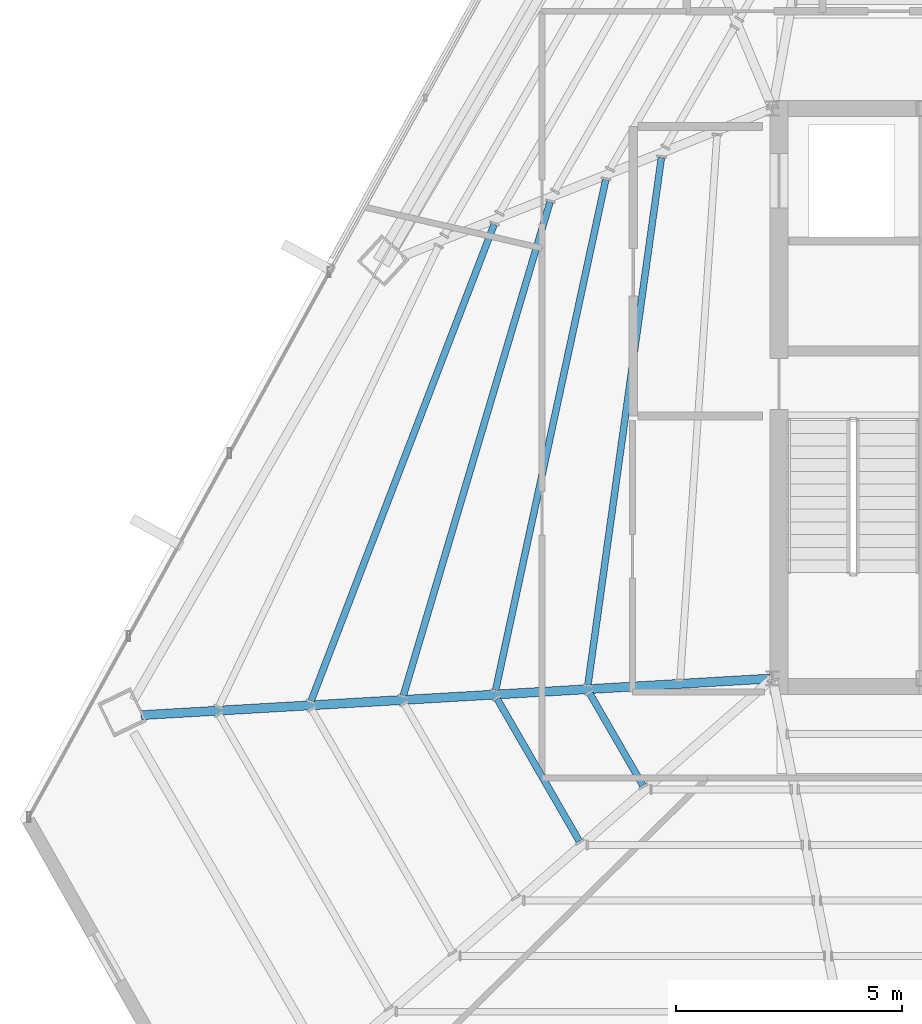
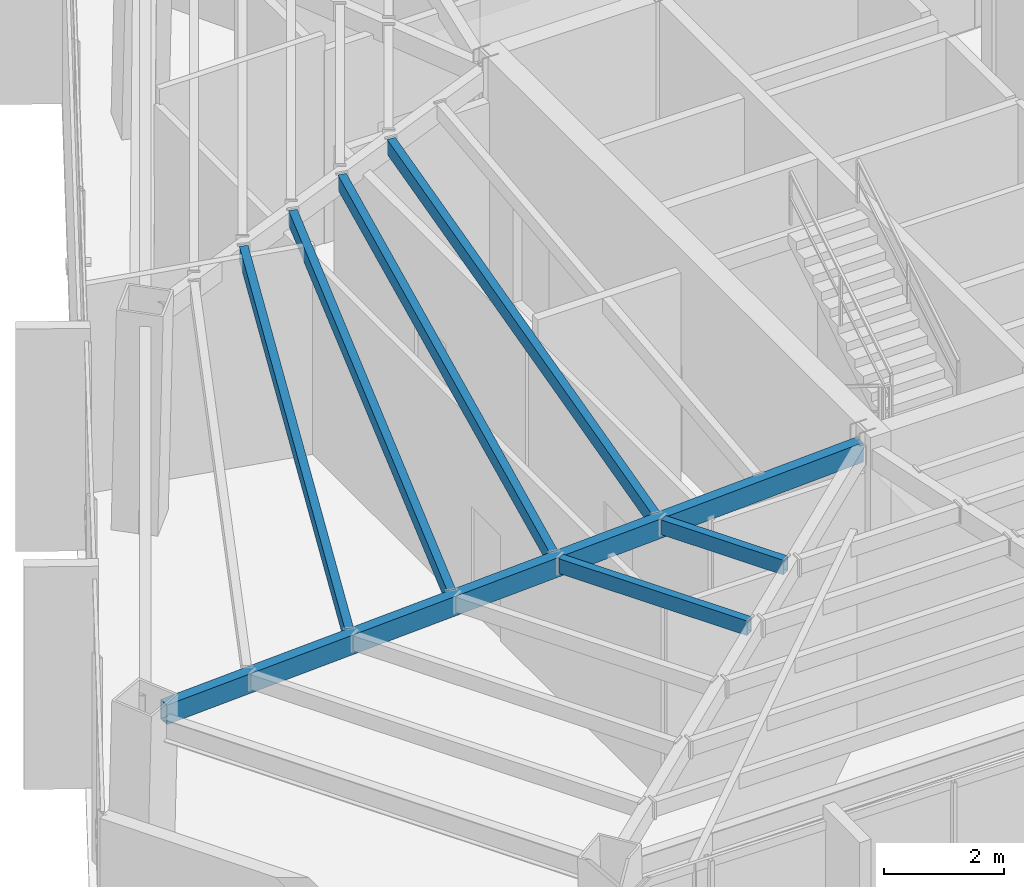
# One storey, part 6 of 37: 7 beams.
"""IFC4 building model written with IfcOpenShell, lengths in metres."""

from ifc_helpers import new_model, si_unit, direction, frame, origin, origin_2d, place, context, subcontext, project, spatial, hollow_rectangle, extrude, source, transform, mapped, material, material_profile, profile_set, type_object, type_shapes, element, save


model = new_model("IFC4")

# Units and contexts
model_context = context("Model", 3, precision=1e-05, world=origin(), true_north=direction((0.0, 1.0)))
body_context = subcontext(model_context, "Body", "Model", "MODEL_VIEW")
ifc_project = project(units=[si_unit("LENGTHUNIT", "METRE"), si_unit("AREAUNIT", "SQUARE_METRE"), si_unit("VOLUMEUNIT", "CUBIC_METRE"), si_unit("PLANEANGLEUNIT", "RADIAN"), si_unit("MASSUNIT", "GRAM", prefix="KILO")], contexts=[model_context])

# Site, building, storey
site_placement = place(None, origin())
site = spatial("IfcSite", under=ifc_project, at=site_placement, CompositionType="ELEMENT")
building_placement = place(site_placement, origin())
building = spatial("IfcBuilding", under=site, at=building_placement, Name="Caelisora Broadcast Tower", CompositionType="ELEMENT")
storey_placement = place(building_placement, frame((0.0, 0.0, 225.35009765625)))
storey = spatial("IfcBuildingStorey", under=building, at=storey_placement, Name="L59", CompositionType="ELEMENT", Elevation=225.35009765625)

# Beams
ifc_material = material(Name="Steel Grade 350 (AS/NZS 1163 C350L0)", Category="steel")
ifc_material_profile_1 = material_profile(ifc_material, hollow_rectangle(XDim=0.199951171875, YDim=0.39990234375, WallThickness=0.012451171875, at=origin_2d()), Name="Steel Grade 350 (AS/NZS 1163 C350L0)")
ifc_profile_set_1 = profile_set([ifc_material_profile_1], Name="Steel Grade 350 (AS/NZS 1163 C350L0)")
beam_type_1 = type_object("IfcBeamType", Name="PG07", PredefinedType="BEAM", material=ifc_profile_set_1)
shared_shape_1 = source(origin(), body_context, "Body", "SweptSolid", [
    extrude(hollow_rectangle(XDim=0.199951171875, YDim=0.39990234375, WallThickness=0.012451171875, at=origin_2d()), origin(), (0.0, 0.0, 1.0), 13.9248046875),
])
type_shapes(beam_type_1, [shared_shape_1])
beam_1_placement = place(storey_placement, frame((30.440185546875, 17.396484375, 4.0498046875), z_axis=(-0.998312610216, -0.0580683415, 0.0), x_axis=(0.0580683415, -0.998312610216, 0.0)))
element("IfcBeam", 1, at=beam_1_placement, inside=storey, type_object=beam_type_1, Name="L59 beam PG07", PredefinedType="BEAM", context=body_context, shape_type="MappedRepresentation", body=[
    mapped(shared_shape_1, transform((0.0, 0.0, 0.0), scale=1.0)),
])
ifc_material_profile_2 = material_profile(ifc_material, hollow_rectangle(XDim=0.14990234375, YDim=0.300048828125, WallThickness=0.010009765625, at=origin_2d()), Name="Steel Grade 350 (AS/NZS 1163 C350L0)")
ifc_profile_set_2 = profile_set([ifc_material_profile_2], Name="Steel Grade 350 (AS/NZS 1163 C350L0)")
beam_type_2 = type_object("IfcBeamType", Name="SB05", PredefinedType="JOIST", material=ifc_profile_set_2)
shared_shape_2 = source(origin(), body_context, "Body", "SweptSolid", [
    extrude(hollow_rectangle(XDim=0.14990234375, YDim=0.300048828125, WallThickness=0.010009765625, at=origin_2d()), origin(), (0.0, 0.0, 1.0), 11.7666015625),
])
beam_2_placement = place(storey_placement, frame((28.04150390625, 28.913818359375, 4.099853515625), z_axis=(-0.13801901254, -0.990429579616, 0.0), x_axis=(0.990429579616, -0.13801901254, 0.0)))
element("IfcBeam", 2, at=beam_2_placement, inside=storey, type_object=beam_type_2, Name="L59 beam SB05", PredefinedType="JOIST", context=body_context, shape_type="MappedRepresentation", body=[
    mapped(shared_shape_2, transform((0.0, 0.0, 0.0), scale=1.0)),
])
shared_shape_3 = source(origin(), body_context, "Body", "SweptSolid", [
    extrude(hollow_rectangle(XDim=0.14990234375, YDim=0.300048828125, WallThickness=0.010009765625, at=origin_2d()), origin(), (0.0, 0.0, 1.0), 11.540771484375),
])
beam_3_placement = place(storey_placement, frame((26.810546875, 28.42236328125, 4.099853515625), z_axis=(-0.210869580806, -0.977514204444, 0.0), x_axis=(0.977514204444, -0.210869580806, 0.0)))
element("IfcBeam", 3, at=beam_3_placement, inside=storey, type_object=beam_type_2, Name="L59 beam SB05", PredefinedType="JOIST", context=body_context, shape_type="MappedRepresentation", body=[
    mapped(shared_shape_3, transform((0.0, 0.0, 0.0), scale=1.0)),
])
shared_shape_4 = source(origin(), body_context, "Body", "SweptSolid", [
    extrude(hollow_rectangle(XDim=0.14990234375, YDim=0.300048828125, WallThickness=0.010009765625, at=origin_2d()), origin(), (0.0, 0.0, 1.0), 11.379150390625),
])
beam_4_placement = place(storey_placement, frame((25.578125, 27.930419921875, 4.099853515625), z_axis=(-0.284813629201, -0.958582910666, 0.0), x_axis=(0.958582910666, -0.284813629201, 0.0)))
element("IfcBeam", 4, at=beam_4_placement, inside=storey, type_object=beam_type_2, Name="L59 beam SB05", PredefinedType="JOIST", context=body_context, shape_type="MappedRepresentation", body=[
    mapped(shared_shape_4, transform((0.0, 0.0, 0.0), scale=1.0)),
])
shared_shape_5 = source(origin(), body_context, "Body", "SweptSolid", [
    extrude(hollow_rectangle(XDim=0.14990234375, YDim=0.300048828125, WallThickness=0.010009765625, at=origin_2d()), origin(), (0.0, 0.0, 1.0), 11.283935546875),
])
beam_5_placement = place(storey_placement, frame((24.34423828125, 27.4375, 4.099853515625), z_axis=(-0.358597739887, -0.933492185799, 0.0), x_axis=(0.933492185799, -0.358597739887, 0.0)))
element("IfcBeam", 5, at=beam_5_placement, inside=storey, type_object=beam_type_2, Name="L59 beam SB05", PredefinedType="JOIST", context=body_context, shape_type="MappedRepresentation", body=[
    mapped(shared_shape_5, transform((0.0, 0.0, 0.0), scale=1.0)),
])
shared_shape_6 = source(origin(), body_context, "Body", "SweptSolid", [
    extrude(hollow_rectangle(XDim=0.14990234375, YDim=0.300048828125, WallThickness=0.010009765625, at=origin_2d()), origin(), (0.0, 0.0, 1.0), 2.352294921875),
])
beam_6_placement = place(storey_placement, frame((26.458251953125, 17.0673828125, 4.099853515625), z_axis=(0.500045874762, -0.865998916358, 0.0), x_axis=(0.865998916358, 0.500045874762, 0.0)))
element("IfcBeam", 6, at=beam_6_placement, inside=storey, type_object=beam_type_2, Name="L59 beam SB05", PredefinedType="JOIST", context=body_context, shape_type="MappedRepresentation", body=[
    mapped(shared_shape_6, transform((0.0, 0.0, 0.0), scale=1.0)),
])
shared_shape_7 = source(origin(), body_context, "Body", "SweptSolid", [
    extrude(hollow_rectangle(XDim=0.14990234375, YDim=0.300048828125, WallThickness=0.010009765625, at=origin_2d()), origin(), (0.0, 0.0, 1.0), 3.63232421875),
])
type_shapes(beam_type_2, [shared_shape_2, shared_shape_3, shared_shape_4, shared_shape_5, shared_shape_6, shared_shape_7])
beam_7_placement = place(storey_placement, frame((24.41015625, 16.9482421875, 4.099853515625), z_axis=(0.499992024311, -0.866030008502, 0.0), x_axis=(0.866030008502, 0.499992024311, 0.0)))
element("IfcBeam", 7, at=beam_7_placement, inside=storey, type_object=beam_type_2, Name="L59 beam SB05", PredefinedType="JOIST", context=body_context, shape_type="MappedRepresentation", body=[
    mapped(shared_shape_7, transform((0.0, 0.0, 0.0), scale=1.0)),
])

save(model, "model.ifc")
